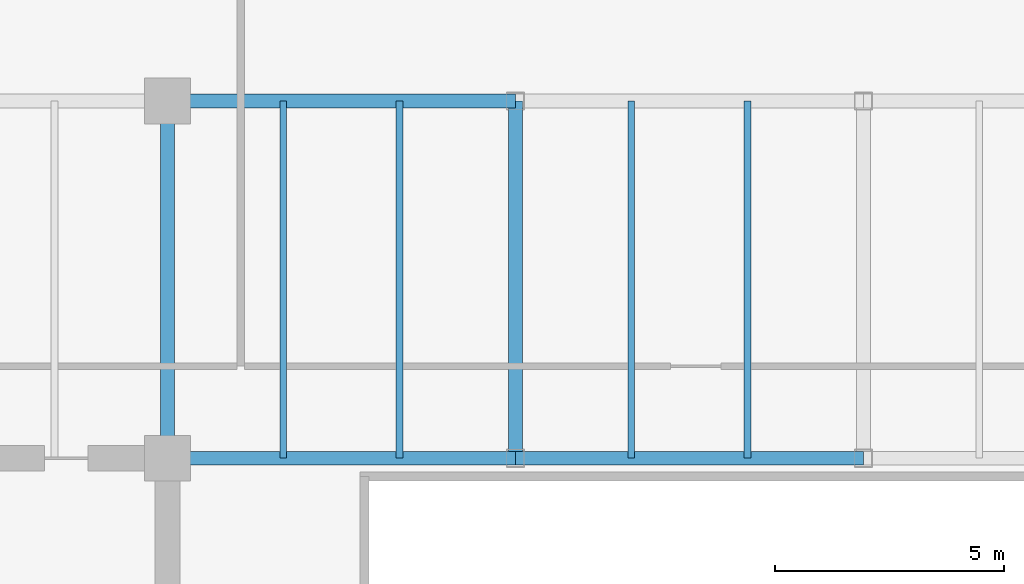
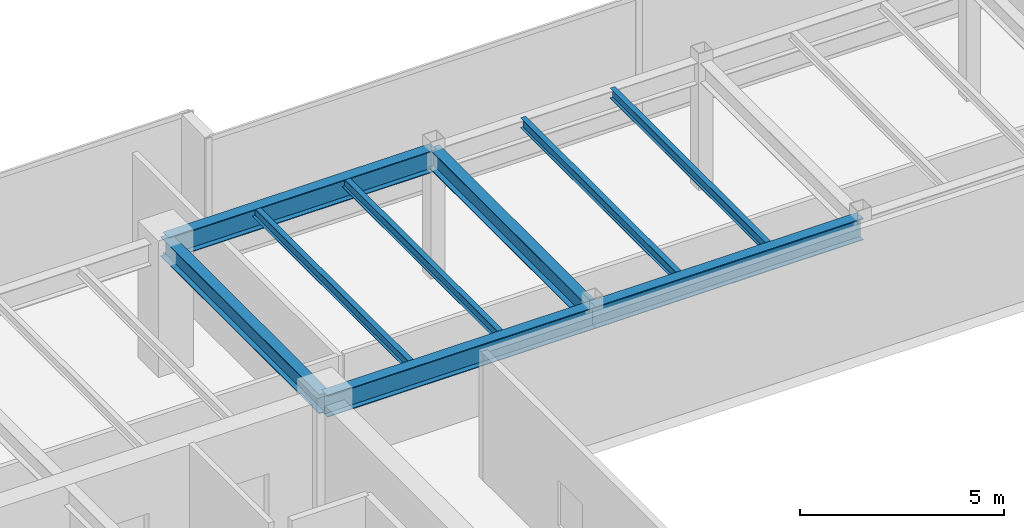
# One storey, part 16 of 34: 9 beams.
"""IFC4 building model written with IfcOpenShell, lengths in metres."""

from ifc_helpers import new_model, si_unit, direction, frame, origin, origin_2d, place, context, subcontext, project, spatial, i_section, extrude, source, transform, mapped, material, material_profile, profile_set, type_object, type_shapes, element, save


model = new_model("IFC4")

# Units and contexts
model_context = context("Model", 3, precision=1e-05, world=origin(), true_north=direction((0.0, 1.0)))
body_context = subcontext(model_context, "Body", "Model", "MODEL_VIEW")
ifc_project = project(units=[si_unit("LENGTHUNIT", "METRE"), si_unit("AREAUNIT", "SQUARE_METRE"), si_unit("VOLUMEUNIT", "CUBIC_METRE"), si_unit("PLANEANGLEUNIT", "RADIAN"), si_unit("MASSUNIT", "GRAM", prefix="KILO")], contexts=[model_context])

# Site, building, storey
site_placement = place(None, origin())
site = spatial("IfcSite", under=ifc_project, at=site_placement, CompositionType="ELEMENT")
building_placement = place(site_placement, origin())
building = spatial("IfcBuilding", under=site, at=building_placement, Name="Haelvirn Gate Laboratories", CompositionType="ELEMENT")
storey_placement = place(building_placement, frame((0.0, 0.0, 205.5)))
storey = spatial("IfcBuildingStorey", under=building, at=storey_placement, Name="L49", CompositionType="ELEMENT", Elevation=205.5)

# Beams
ifc_material = material(Name="Steel SM355", Category="steel")
ifc_material_profile_1 = material_profile(ifc_material, i_section(OverallWidth=0.14990234375, OverallDepth=0.300048828125, WebThickness=0.006591796875, FlangeThickness=0.009033203125, at=origin_2d()), Name="H-300x150x6.5x9")
ifc_profile_set_1 = profile_set([ifc_material_profile_1], Name="Steel SM355")
beam_type_1 = type_object("IfcBeamType", Name="BM-J-300", PredefinedType="JOIST", material=ifc_profile_set_1)
shared_shape_1 = source(origin(), body_context, "Body", "SweptSolid", [
    extrude(i_section(OverallWidth=0.14990234375, OverallDepth=0.300048828125, WebThickness=0.006591796875, FlangeThickness=0.009033203125, at=origin_2d()), origin(), (0.0, 0.0, 1.0), 7.800048828125),
])
type_shapes(beam_type_1, [shared_shape_1])
for number, where, z_axis, x_axis, name in (
    (1, (24.72998046875, 33.800048828125, 3.64990234375), (0.0, 1.0, 0.0), (-1.0, 0.0, 0.0), "L49 Composite Lab Joist North X24.73"),
    (2, (27.27001953125, 33.800048828125, 3.64990234375), (0.0, 1.0, 0.0), (-1.0, 0.0, 0.0), "L49 Composite Lab Joist North X27.27"),
    (3, (32.330078125, 33.800048828125, 3.64990234375), (0.0, 1.0, 0.0), (-1.0, 0.0, 0.0), "L49 Composite Lab Joist North X32.33"),
    (4, (34.8701171875, 33.800048828125, 3.64990234375), (0.0, 1.0, 0.0), (-1.0, 0.0, 0.0), "L49 Composite Lab Joist North X34.87"),
):
    element("IfcBeam", number, at=place(storey_placement, frame(where, z_axis=z_axis, x_axis=x_axis)), inside=storey, type_object=beam_type_1, Name=name, PredefinedType="JOIST", context=body_context, shape_type="MappedRepresentation", body=[
        mapped(shared_shape_1, transform((0.0, 0.0, 0.0), scale=1.0)),
    ])
ifc_material_profile_2 = material_profile(ifc_material, i_section(OverallWidth=0.300048828125, OverallDepth=0.587890625, WebThickness=0.011962890625, FlangeThickness=0.02001953125, at=origin_2d()), Name="H-588x300x12x20")
ifc_profile_set_2 = profile_set([ifc_material_profile_2], Name="Steel SM355")
beam_type_2 = type_object("IfcBeamType", Name="BM-G-588", PredefinedType="BEAM", material=ifc_profile_set_2)
shared_shape_2 = source(origin(), body_context, "Body", "SweptSolid", [
    extrude(i_section(OverallWidth=0.300048828125, OverallDepth=0.587890625, WebThickness=0.011962890625, FlangeThickness=0.02001953125, at=origin_2d()), origin(), (0.0, 0.0, 1.0), 7.800048828125),
])
type_shapes(beam_type_2, [shared_shape_2])
for number, where, z_axis, x_axis, name in (
    (5, (22.199951171875, 33.800048828125, 3.506103515625), (0.0, 1.0, 0.0), (-1.0, 0.0, 0.0), "L49 Frame Girder X22.2 (33.8-41.6)"),
    (6, (29.800048828125, 33.800048828125, 3.506103515625), (0.0, 1.0, 0.0), (-1.0, 0.0, 0.0), "L49 Frame Girder X29.8 (33.8-41.6)"),
):
    element("IfcBeam", number, at=place(storey_placement, frame(where, z_axis=z_axis, x_axis=x_axis)), inside=storey, type_object=beam_type_2, Name=name, PredefinedType="BEAM", context=body_context, shape_type="MappedRepresentation", body=[
        mapped(shared_shape_2, transform((0.0, 0.0, 0.0), scale=1.0)),
    ])
ifc_material_profile_3 = material_profile(ifc_material, i_section(OverallWidth=0.300048828125, OverallDepth=0.64990234375, WebThickness=0.012939453125, FlangeThickness=0.02197265625, at=origin_2d()), Name="H-650x300x13x22")
ifc_profile_set_3 = profile_set([ifc_material_profile_3], Name="Steel SM355")
beam_type_3 = type_object("IfcBeamType", Name="BM-G-650", PredefinedType="BEAM", material=ifc_profile_set_3)
shared_shape_3 = source(origin(), body_context, "Body", "SweptSolid", [
    extrude(i_section(OverallWidth=0.300048828125, OverallDepth=0.64990234375, WebThickness=0.012939453125, FlangeThickness=0.02197265625, at=origin_2d()), origin(), (0.0, 0.0, 1.0), 7.60009765625),
])
for number, where, z_axis, x_axis, name in (
    (7, (22.199951171875, 33.800048828125, 3.47509765625), (1.0, 0.0, 0.0), (0.0, 1.0, 0.0), "L49 Primary Girder Y33.8 (22.2-29.8)"),
    (8, (22.199951171875, 41.60009765625, 3.47509765625), (1.0, 0.0, 0.0), (0.0, 1.0, 0.0), "L49 Primary Girder Y41.6 (22.2-29.8)"),
):
    element("IfcBeam", number, at=place(storey_placement, frame(where, z_axis=z_axis, x_axis=x_axis)), inside=storey, type_object=beam_type_3, Name=name, PredefinedType="BEAM", context=body_context, shape_type="MappedRepresentation", body=[
        mapped(shared_shape_3, transform((0.0, 0.0, 0.0), scale=1.0)),
    ])
shared_shape_4 = source(origin(), body_context, "Body", "SweptSolid", [
    extrude(i_section(OverallWidth=0.300048828125, OverallDepth=0.64990234375, WebThickness=0.012939453125, FlangeThickness=0.02197265625, at=origin_2d()), origin(), (0.0, 0.0, 1.0), 7.599853515625),
])
type_shapes(beam_type_3, [shared_shape_3, shared_shape_4])
beam_placement = place(storey_placement, frame((29.800048828125, 33.800048828125, 3.47509765625), z_axis=(1.0, 0.0, 0.0), x_axis=(0.0, 1.0, 0.0)))
element("IfcBeam", 9, at=beam_placement, inside=storey, type_object=beam_type_3, Name="L49 Primary Girder Y33.8 (29.8-37.4)", PredefinedType="BEAM", context=body_context, shape_type="MappedRepresentation", body=[
    mapped(shared_shape_4, transform((0.0, 0.0, 0.0), scale=1.0)),
])

save(model, "model.ifc")
